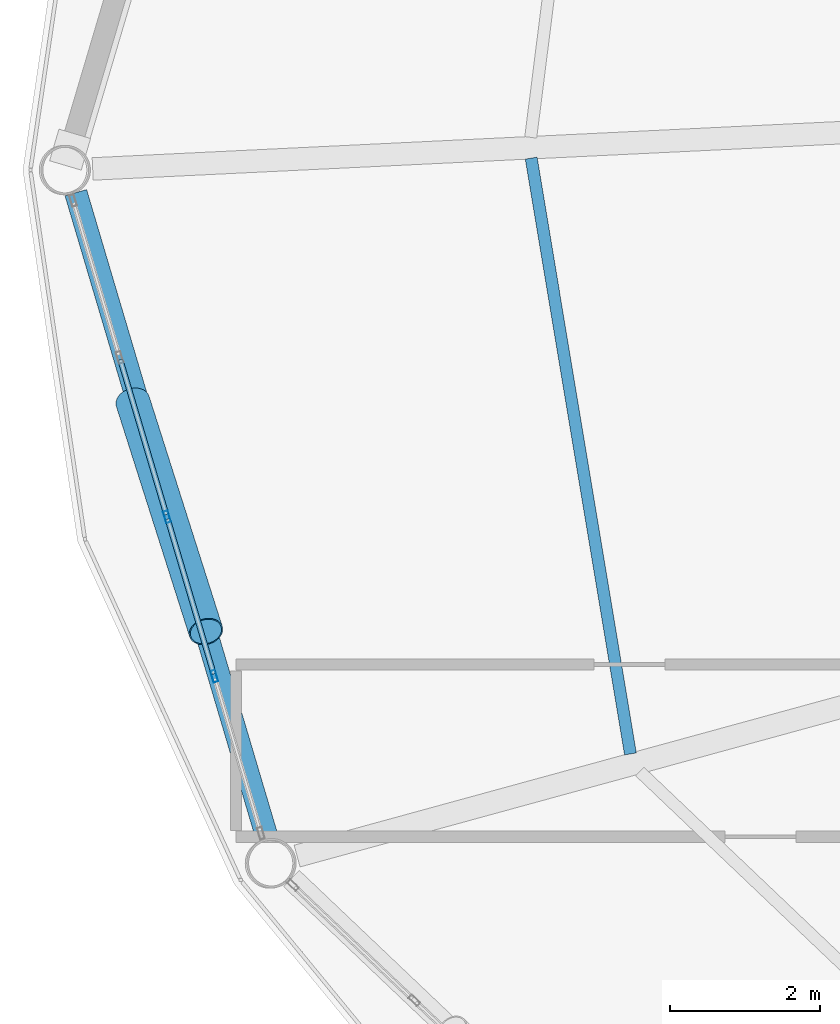
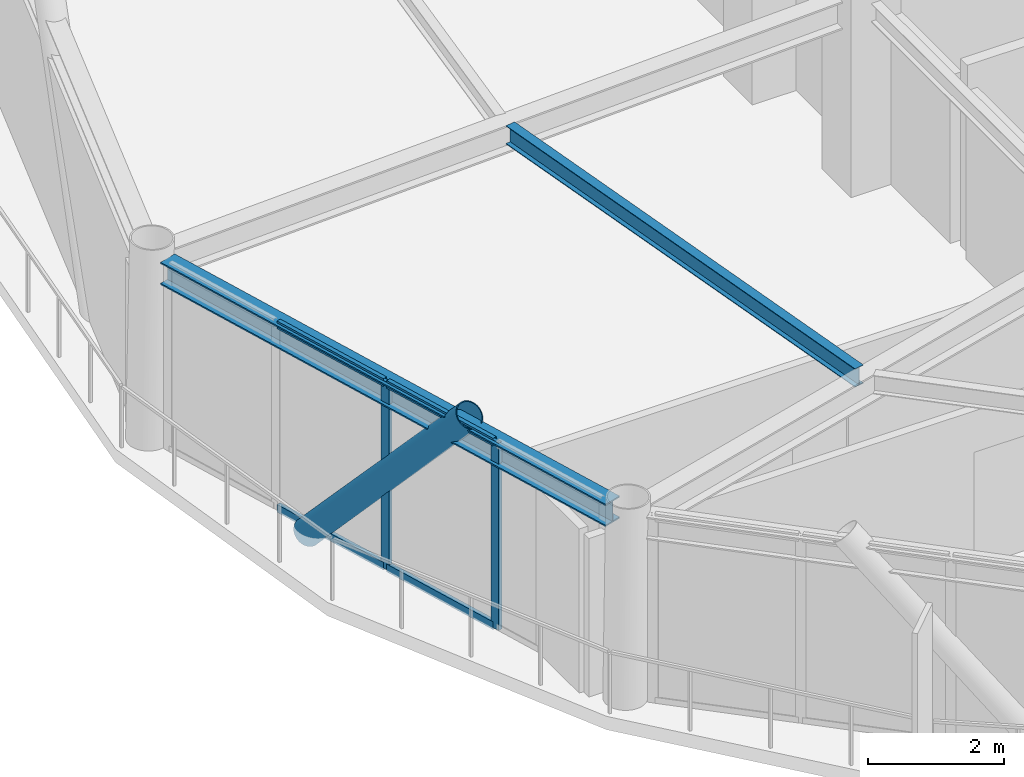
# One storey, part 5 of 28: 7 members, 2 beams, 1 element without a shape of its own.
"""IFC4 building model written with IfcOpenShell, lengths in metres."""

from ifc_helpers import new_model, si_unit, direction, frame, origin, origin_2d, place, context, subcontext, project, spatial, hollow_rectangle, hollow_circle, i_section, extrude, material, layer, layer_set, material_profile, profile_set, type_object, element, aggregate, save


model = new_model("IFC4")

# Units and contexts
model_context = context("Model", 3, precision=1e-05, world=origin(), true_north=direction((0.0, 1.0)))
body_context = subcontext(model_context, "Body", "Model", "MODEL_VIEW")
ifc_project = project(units=[si_unit("LENGTHUNIT", "METRE"), si_unit("AREAUNIT", "SQUARE_METRE"), si_unit("VOLUMEUNIT", "CUBIC_METRE"), si_unit("PLANEANGLEUNIT", "RADIAN"), si_unit("MASSUNIT", "GRAM", prefix="KILO")], contexts=[model_context])

# Site, building, storey
site_placement = place(None, origin())
site = spatial("IfcSite", under=ifc_project, at=site_placement, CompositionType="ELEMENT")
building_placement = place(site_placement, origin())
building = spatial("IfcBuilding", under=site, at=building_placement, Name="Varnakorn Sky Granary", CompositionType="ELEMENT")
storey_placement = place(building_placement, frame((0.0, 0.0, 186.0)))
storey = spatial("IfcBuildingStorey", under=building, at=storey_placement, Name="L46", CompositionType="ELEMENT", Elevation=186.0)

# Beams
ifc_material_1 = material(Name="Steel S355JR", Category="steel")
ifc_material_profile_1 = material_profile(ifc_material_1, i_section(OverallWidth=0.159912109375, OverallDepth=0.330078125, WebThickness=0.007568359375, FlangeThickness=0.011474609375, at=origin_2d()), Name="IPE 330")
ifc_profile_set_1 = profile_set([ifc_material_profile_1], Name="Steel S355JR")
beam_type_1 = type_object("IfcBeamType", Name="BM-SEC-Z4", PredefinedType="BEAM", material=ifc_profile_set_1)
beam_1_placement = place(storey_placement, frame((-8.561279296875, 0.15966796875, 3.195068359375), z_axis=(0.164384257002, -0.98639637877, 0.0), x_axis=(0.98639637877, 0.164384257002, 0.0)))
element("IfcBeam", 1, at=beam_1_placement, inside=storey, type_object=beam_type_1, Name="Secondary Floor Chord Beam MSB07 L46", PredefinedType="BEAM", context=body_context, shape_type="SweptSolid", body=[
    extrude(i_section(OverallWidth=0.159912109375, OverallDepth=0.330078125, WebThickness=0.007568359375, FlangeThickness=0.011474609375, at=origin_2d()), origin(), (0.0, 0.0, 1.0), 8.06298828125),
])
ifc_material_profile_2 = material_profile(ifc_material_1, i_section(OverallWidth=0.300048828125, OverallDepth=0.39990234375, WebThickness=0.013427734375, FlangeThickness=0.02392578125, at=origin_2d()), Name="HE 400 B")
ifc_profile_set_2 = profile_set([ifc_material_profile_2], Name="Steel S355JR")
beam_type_2 = type_object("IfcBeamType", Name="BM-SPD-Z4", PredefinedType="SPANDREL", material=ifc_profile_set_2)
beam_2_placement = place(storey_placement, frame((-14.639404296875, -0.302001953125, 3.159912109375), z_axis=(0.284290421761, -0.958738210407, 0.0), x_axis=(0.958738210407, 0.284290421761, 0.0)))
element("IfcBeam", 2, at=beam_2_placement, inside=storey, type_object=beam_type_2, Name="Perimeter Spandrel Ring Beam RB07 L46", PredefinedType="SPANDREL", context=body_context, shape_type="SweptSolid", body=[
    extrude(i_section(OverallWidth=0.300048828125, OverallDepth=0.39990234375, WebThickness=0.013427734375, FlangeThickness=0.02392578125, at=origin_2d()), origin(), (0.0, 0.0, 1.0), 9.007568359375),
])

# Curtain wall, members
ifc_material_2 = material(Name="Anodised Bronze Aluminium Alloy 6063-T6", Category="aluminium")
ifc_layer = layer(ifc_material_2, 0.169921875, Name="Anodised Bronze Aluminium Alloy 6063-T6")
ifc_layer_set = layer_set([ifc_layer], Name="Anodised Bronze Aluminium Alloy 6063-T6")
curtain_wall_type = type_object("IfcCurtainWallType", Name="CW-LAB-1", PredefinedType="USERDEFINED", material=ifc_layer_set)
curtain_wall_placement = place(storey_placement, origin())
curtain_wall = element("IfcCurtainWall", 3, at=curtain_wall_placement, inside=storey, type_object=curtain_wall_type, Name="Unitised Curtain Wall CW5 CW-L46-B07", ObjectType="CURTAIN WALL", PredefinedType="USERDEFINED")
ifc_material_profile_3 = material_profile(ifc_material_2, hollow_rectangle(XDim=0.06494140625, YDim=0.159912109375, WallThickness=0.00341796875, at=origin_2d()), Name="ALU MULL 65x160")
ifc_profile_set_3 = profile_set([ifc_material_profile_3], Name="Anodised Bronze Aluminium Alloy 6063-T6")
member_type_1 = type_object("IfcMemberType", Name="CW-LAB-1-MULL", PredefinedType="MULLION", material=ifc_profile_set_3)
member_1_placement = place(storey_placement, frame((-12.790771484375, -6.75537109375, 0.0), z_axis=(0.0, 0.0, 1.0), x_axis=(-0.958613672651, -0.28471007465, 0.0)))
member_1 = element("IfcMember", 4, at=member_1_placement, type_object=member_type_1, Name="CW5 mullion 2", PredefinedType="MULLION", context=body_context, shape_type="SweptSolid", body=[
    extrude(hollow_rectangle(XDim=0.06494140625, YDim=0.159912109375, WallThickness=0.00341796875, at=origin_2d()), origin(), (0.0, 0.0, 1.0), 3.360107421875),
])
member_2_placement = place(storey_placement, frame((-13.42236328125, -4.628173828125, 0.0), z_axis=(0.0, 0.0, 1.0), x_axis=(-0.958613672651, -0.28471007465, 0.0)))
member_2 = element("IfcMember", 5, at=member_2_placement, type_object=member_type_1, Name="CW5 mullion 3", PredefinedType="MULLION", context=body_context, shape_type="SweptSolid", body=[
    extrude(hollow_rectangle(XDim=0.06494140625, YDim=0.159912109375, WallThickness=0.00341796875, at=origin_2d()), origin(), (0.0, 0.0, 1.0), 3.360107421875),
])
ifc_material_profile_4 = material_profile(ifc_material_2, hollow_rectangle(XDim=0.070068359375, YDim=0.139892578125, WallThickness=0.00341796875, at=origin_2d()), Name="ALU TRAN 70x140")
ifc_profile_set_4 = profile_set([ifc_material_profile_4], Name="Anodised Bronze Aluminium Alloy 6063-T6")
member_type_2 = type_object("IfcMemberType", Name="CW-LAB-1-TRAN", PredefinedType="USERDEFINED", material=ifc_profile_set_4)
member_3_placement = place(storey_placement, frame((-12.800048828125, -6.724365234375, 0.034912109375), z_axis=(-0.284601543476, 0.958645899929, 0.0), x_axis=(-0.958645899929, -0.284601543476, 0.0)))
member_3 = element("IfcMember", 6, at=member_3_placement, type_object=member_type_2, Name="CW5 transom 2.1", ObjectType="TRANSOM", PredefinedType="USERDEFINED", context=body_context, shape_type="SweptSolid", body=[
    extrude(hollow_rectangle(XDim=0.070068359375, YDim=0.139892578125, WallThickness=0.00341796875, at=origin_2d()), origin(), (0.0, 0.0, 1.0), 2.154052734375),
])
member_4_placement = place(storey_placement, frame((-12.800048828125, -6.724365234375, 3.324951171875), z_axis=(-0.284601543476, 0.958645899929, 0.0), x_axis=(-0.958645899929, -0.284601543476, 0.0)))
member_4 = element("IfcMember", 7, at=member_4_placement, type_object=member_type_2, Name="CW5 transom 2.2", ObjectType="TRANSOM", PredefinedType="USERDEFINED", context=body_context, shape_type="SweptSolid", body=[
    extrude(hollow_rectangle(XDim=0.070068359375, YDim=0.139892578125, WallThickness=0.00341796875, at=origin_2d()), origin(), (0.0, 0.0, 1.0), 2.154052734375),
])
member_5_placement = place(storey_placement, frame((-13.431640625, -4.59716796875, 0.034912109375), z_axis=(-0.284705699876, 0.958614971956, 0.0), x_axis=(-0.958614971956, -0.284705699876, 0.0)))
member_5 = element("IfcMember", 8, at=member_5_placement, type_object=member_type_2, Name="CW5 transom 3.1", ObjectType="TRANSOM", PredefinedType="USERDEFINED", context=body_context, shape_type="SweptSolid", body=[
    extrude(hollow_rectangle(XDim=0.070068359375, YDim=0.139892578125, WallThickness=0.00341796875, at=origin_2d()), origin(), (0.0, 0.0, 1.0), 2.154052734375),
])
member_6_placement = place(storey_placement, frame((-13.431640625, -4.59716796875, 3.324951171875), z_axis=(-0.284705699876, 0.958614971956, 0.0), x_axis=(-0.958614971956, -0.284705699876, 0.0)))
member_6 = element("IfcMember", 9, at=member_6_placement, type_object=member_type_2, Name="CW5 transom 3.2", ObjectType="TRANSOM", PredefinedType="USERDEFINED", context=body_context, shape_type="SweptSolid", body=[
    extrude(hollow_rectangle(XDim=0.070068359375, YDim=0.139892578125, WallThickness=0.00341796875, at=origin_2d()), origin(), (0.0, 0.0, 1.0), 2.154052734375),
])
aggregate(curtain_wall, [member_1, member_2, member_3, member_4, member_5, member_6])

# Member
ifc_material_3 = material(Name="Steel S460M", Category="steel")
ifc_material_profile_5 = material_profile(ifc_material_3, hollow_circle(Radius=0.228515625, WallThickness=0.01611328125, at=origin_2d()), Name="CHS 457x16")
ifc_profile_set_5 = profile_set([ifc_material_profile_5], Name="Steel S460M")
member_type_3 = type_object("IfcMemberType", Name="MB-DIAG-T3", PredefinedType="BRACE", material=ifc_profile_set_5)
member_7_placement = place(storey_placement, frame((-13.880615234375, -3.08544921875, -0.1298828125), z_axis=(0.20174698493, -0.63404037465, 0.74651922774), x_axis=(0.952922798565, 0.303213027384, 0.0)))
element("IfcMember", 10, at=member_7_placement, inside=storey, type_object=member_type_3, Name="Perimeter CHS Diagrid Brace DG07 L46", PredefinedType="BRACE", context=body_context, shape_type="SweptSolid", body=[
    extrude(hollow_circle(Radius=0.228515625, WallThickness=0.01611328125, at=origin_2d()), origin(), (0.0, 0.0, 1.0), 4.84912109375),
])

save(model, "model.ifc")
